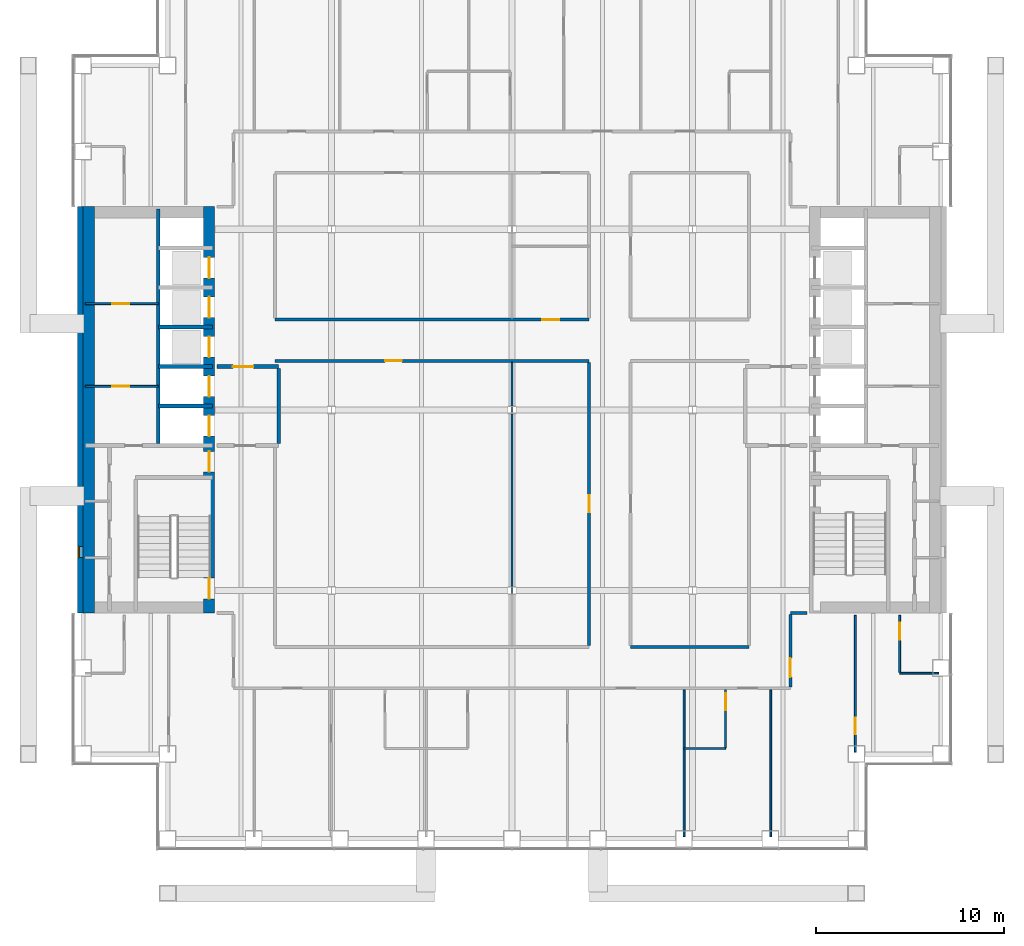
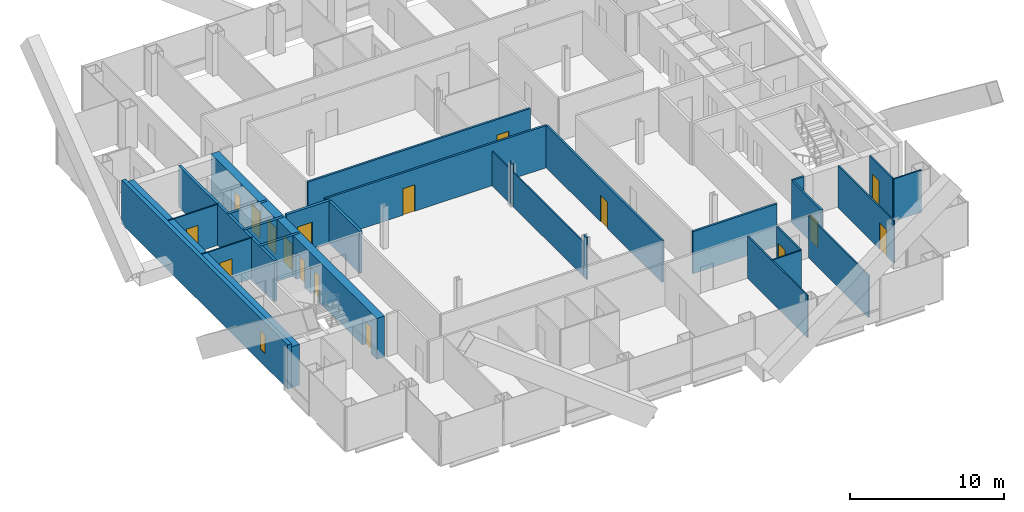
# One storey, part 12 of 17: 28 walls, 17 doors, 1 window, 18 openings.
"""IFC4 building model written with IfcOpenShell, lengths in metres."""

import ifcopenshell
import ifcopenshell.guid

model = None  # the IFC model being written
_history = None  # IfcOwnerHistory: only IFC2X3 demands one
_inside = {}  # id of a spatial element -> (the spatial element, [elements in it])
_under = {}  # id of a project, library or spatial element -> (it, [spatial elements below it])
_declared = {}  # id of a project -> (the project, [libraries it declares])
_typed = {}  # id of a type object -> (the type object, [elements of that type])
_made_of = {}  # id of a material, layer set ... -> (it, [elements and type objects made of it])


def new_model(schema):
    """Start an empty IFC model of exactly this schema.

    Asked for "IFC4X3", IfcOpenShell would pick the latest addendum, in which some entities
    have other attributes; the version numbers below select the first issue.
    IFC2X3 requires an IfcOwnerHistory on every rooted entity: one is made here for all.
    """
    global model, _history
    if schema == "IFC4X3":
        model = ifcopenshell.file(schema_version=(4, 3, 0, 0))
    else:
        model = ifcopenshell.file(schema=schema)
    _inside.clear()
    _under.clear()
    _declared.clear()
    _typed.clear()
    _made_of.clear()
    _history = None
    if model.schema == "IFC2X3":
        org = make("IfcOrganization", Name="unknown")
        user = make(
            "IfcPersonAndOrganization",
            ThePerson=make("IfcPerson", FamilyName="unknown"),
            TheOrganization=org,
        )
        app = make(
            "IfcApplication",
            ApplicationDeveloper=org,
            Version="unknown",
            ApplicationFullName="unknown",
            ApplicationIdentifier="unknown",
        )
        _history = make(
            "IfcOwnerHistory",
            OwningUser=user,
            OwningApplication=app,
            ChangeAction="ADDED",
            CreationDate=0,
        )
    return model


def make(cls, **values):
    """One entity of the class cls with the attributes given. An attribute that is None is left unset."""
    return model.create_entity(
        cls, **{name: value for name, value in values.items() if value is not None}
    )


def rooted(cls, **values):
    """An entity with a GlobalId (a new one), such as an element, a storey or a relation."""
    return make(cls, GlobalId=ifcopenshell.guid.new(), OwnerHistory=_history, **values)


def si_unit(unit_type, name, prefix=None):
    """IfcSIUnit, for example si_unit("LENGTHUNIT", "METRE", prefix="MILLI")."""
    return make("IfcSIUnit", UnitType=unit_type, Prefix=prefix, Name=name)


def assignment(units):
    """IfcUnitAssignment: the units of a project."""
    return None if units is None else make("IfcUnitAssignment", Units=units)


def point(xyz):
    """IfcCartesianPoint."""
    return None if xyz is None else make("IfcCartesianPoint", Coordinates=xyz)


def direction(xyz):
    """IfcDirection."""
    return None if xyz is None else make("IfcDirection", DirectionRatios=xyz)


def frame(location, z_axis=None, x_axis=None):
    """IfcAxis2Placement3D, a coordinate frame: its origin and axes. An axis left out is left unset."""
    return make(
        "IfcAxis2Placement3D",
        Location=point(location),
        Axis=direction(z_axis),
        RefDirection=direction(x_axis),
    )


def frame_2d(location, x_axis=None):
    """IfcAxis2Placement2D, a coordinate frame in the plane: its origin and x axis."""
    return make(
        "IfcAxis2Placement2D", Location=point(location), RefDirection=direction(x_axis)
    )


def origin():
    """The frame at (0, 0, 0) with its axes left unset."""
    return frame((0.0, 0.0, 0.0))


def place(relative_to, where):
    """IfcLocalPlacement: puts the frame where relative to a parent placement (None: the world)."""
    return make(
        "IfcLocalPlacement", PlacementRelTo=relative_to, RelativePlacement=where
    )


def context(
    kind, dimensions, precision=None, world=None, true_north=None, identifier=None
):
    """IfcGeometricRepresentationContext, for example the 3D "Model" context."""
    return make(
        "IfcGeometricRepresentationContext",
        ContextIdentifier=identifier,
        ContextType=kind,
        CoordinateSpaceDimension=dimensions,
        Precision=precision,
        WorldCoordinateSystem=world,
        TrueNorth=true_north,
    )


def subcontext(parent, identifier, kind, view, scale=None):
    """IfcGeometricRepresentationSubContext, for example "Body" below "Model"."""
    return make(
        "IfcGeometricRepresentationSubContext",
        ContextIdentifier=identifier,
        ContextType=kind,
        ParentContext=parent,
        TargetScale=scale,
        TargetView=view,
    )


def project(units=None, contexts=None):
    """IfcProject with its units and contexts."""
    return rooted(
        "IfcProject",
        Name="project",
        RepresentationContexts=contexts,
        UnitsInContext=assignment(units),
    )


def spatial(cls, under=None, at=None, **own):
    """A site, building, storey or space (cls), placed at a placement, below another one or the project."""
    s = rooted(cls, ObjectPlacement=at, **own)
    if under is not None:
        _under.setdefault(under.id(), (under, []))[1].append(s)
    return s


def profile(cls, at=None, kind="AREA", **sizes):
    """A parametric profile (cls). Its sizes go by their IFC names, for example OverallWidth=200.0."""
    return make(cls, ProfileType=kind, Position=at, **sizes)


def rectangle(**sizes):
    """IfcRectangleProfileDef."""
    return profile("IfcRectangleProfileDef", **sizes)


def extrude(swept, where, along, depth):
    """IfcExtrudedAreaSolid: the profile swept, set in the frame where, extruded along a direction by depth."""
    return make(
        "IfcExtrudedAreaSolid",
        SweptArea=swept,
        Position=where,
        ExtrudedDirection=direction(along),
        Depth=depth,
    )


def shape(context_of_items, identifier, shape_type, items):
    """IfcShapeRepresentation: the items that make up one representation, for example the "Body"."""
    return make(
        "IfcShapeRepresentation",
        ContextOfItems=context_of_items,
        RepresentationIdentifier=identifier,
        RepresentationType=shape_type,
        Items=items,
    )


def material(Name=None, Category=None):
    """IfcMaterial."""
    return make("IfcMaterial", Name=Name, Category=Category)


def layer(
    of_material, thickness, ventilated=None, Name=None, Category=None, Priority=None
):
    """IfcMaterialLayer: one layer of a wall or slab, of a material (None: an air gap)."""
    return make(
        "IfcMaterialLayer",
        Material=of_material,
        LayerThickness=thickness,
        IsVentilated=ventilated,
        Name=Name,
        Category=Category,
        Priority=Priority,
    )


def layer_set(layers, Name=None):
    """IfcMaterialLayerSet."""
    return make("IfcMaterialLayerSet", MaterialLayers=layers, LayerSetName=Name)


def made_of(thing, what):
    """Note that an element or type object is made of a material, layer set ...; save() writes the relation."""
    if what is not None:
        _made_of.setdefault(what.id(), (what, []))[1].append(thing)
    return thing


def type_object(cls, material=None, **own):
    """A type object (cls), such as IfcWallType, which elements share."""
    return made_of(rooted(cls, **own), material)


def element(
    cls,
    number,
    at=None,
    inside=None,
    cuts=None,
    type_object=None,
    material=None,
    context=None,
    identifier="Body",
    shape_type=None,
    held_by="IfcProductDefinitionShape",
    body=None,
    shapes=None,
    **own,
):
    """One element of the class cls, such as IfcWall. Its Tag is "e" and its number.

    at: its placement. inside: the storey or other place that contains it. cuts: it is an
    opening in that element (IfcRelVoidsElement). A single representation is given by context,
    identifier, shape_type and body (its items); several are given by shapes. held_by: the class
    of the entity that holds the representations. save() writes the other relations.
    """
    e = rooted(cls, Tag="e%d" % number, ObjectPlacement=at, **own)
    if body is not None:
        shapes = [shape(context, identifier, shape_type, body)]
    if shapes is not None:
        e.Representation = make(held_by, Representations=shapes)
    if inside is not None:
        _inside.setdefault(inside.id(), (inside, []))[1].append(e)
    if cuts is not None:
        rooted(
            "IfcRelVoidsElement", RelatingBuildingElement=cuts, RelatedOpeningElement=e
        )
    if type_object is not None:
        _typed.setdefault(type_object.id(), (type_object, []))[1].append(e)
    return made_of(e, material)


def fill(opening, filler):
    """IfcRelFillsElement: the door or window that sits in an opening."""
    return rooted(
        "IfcRelFillsElement",
        RelatingOpeningElement=opening,
        RelatedBuildingElement=filler,
    )


def aggregate(whole, parts):
    """IfcRelAggregates: a whole, such as a stair, and the parts it consists of."""
    return rooted("IfcRelAggregates", RelatingObject=whole, RelatedObjects=parts)


def save(model, path):
    """Write the relations noted so far, then the file.

    IfcRelAggregates (storeys below a building ...), IfcRelContainedInSpatialStructure (elements
    in a storey), IfcRelDefinesByType, IfcRelAssociatesMaterial and IfcRelDeclares: one each for
    every whole, place, type object, material and project.
    """
    for whole, parts in _under.values():
        aggregate(whole, parts)
    for where, things in _inside.values():
        rooted(
            "IfcRelContainedInSpatialStructure",
            RelatedElements=things,
            RelatingStructure=where,
        )
    for kind, things in _typed.values():
        rooted("IfcRelDefinesByType", RelatedObjects=things, RelatingType=kind)
    for what, things in _made_of.values():
        rooted("IfcRelAssociatesMaterial", RelatedObjects=things, RelatingMaterial=what)
    for by, libraries in _declared.values():
        rooted("IfcRelDeclares", RelatingContext=by, RelatedDefinitions=libraries)
    model.write(path)


model = new_model("IFC4")

# Units and contexts
model_context = context("Model", 3, precision=1e-05, world=origin(), true_north=direction((0.0, 1.0)))
body_context = subcontext(model_context, "Body", "Model", "MODEL_VIEW")
ifc_project = project(units=[si_unit("LENGTHUNIT", "METRE"), si_unit("AREAUNIT", "SQUARE_METRE"), si_unit("VOLUMEUNIT", "CUBIC_METRE"), si_unit("PLANEANGLEUNIT", "RADIAN"), si_unit("MASSUNIT", "GRAM", prefix="KILO")], contexts=[model_context])

# Site, building, storey
site_placement = place(None, origin())
site = spatial("IfcSite", under=ifc_project, at=site_placement, CompositionType="ELEMENT")
building_placement = place(site_placement, origin())
building = spatial("IfcBuilding", under=site, at=building_placement, Name="Cobrizo Arcos Hotel Tower", CompositionType="ELEMENT")
storey_placement = place(building_placement, frame((0.0, 0.0, 106.5)))
storey = spatial("IfcBuildingStorey", under=building, at=storey_placement, Name="L26", CompositionType="ELEMENT", Elevation=106.5)

# Walls
ifc_material_1 = material(Name="Gypsum board partition")
ifc_layer_1 = layer(ifc_material_1, 0.14990234375)
ifc_layer_set_1 = layer_set([ifc_layer_1], Name="Corridor wall EI 60 150")
wall_type_1 = type_object("IfcWallType", Name="Corridor wall EI 60 150", PredefinedType="PARTITIONING", material=ifc_layer_set_1)
wall_1_placement = place(storey_placement, frame((6.300048828125, -12.60009765625, 0.0), z_axis=(0.0, 0.0, 1.0), x_axis=(1.0, 0.0, 0.0)))
element("IfcWall", 1, at=wall_1_placement, inside=storey, type_object=wall_type_1, Name="Partition 007", PredefinedType="PARTITIONING", context=body_context, shape_type="SweptSolid", body=[
    extrude(rectangle(XDim=6.300048828125, YDim=0.14990234375, at=frame_2d((3.14990234375, 0.0))), origin(), (0.0, 0.0, 1.0), 3.35009765625),
])
wall_2_placement = place(storey_placement, frame((14.800048828125, -10.800048828125, 0.0), z_axis=(0.0, 0.0, 1.0), x_axis=(1.0, 0.0, 0.0)))
element("IfcWall", 2, at=wall_2_placement, inside=storey, type_object=wall_type_1, Name="Partition 009", PredefinedType="PARTITIONING", context=body_context, shape_type="SweptSolid", body=[
    extrude(rectangle(XDim=0.8798828125, YDim=0.14990234375, at=frame_2d((0.43994140625, 0.0))), origin(), (0.0, 0.0, 1.0), 3.35009765625),
])

# Wall, opening, door
wall_3_placement = place(storey_placement, frame((-12.60009765625, 2.60009765625, 0.0), z_axis=(0.0, 0.0, 1.0), x_axis=(1.0, 0.0, 0.0)))
wall_3 = element("IfcWall", 3, at=wall_3_placement, inside=storey, type_object=wall_type_1, Name="Partition 028", PredefinedType="PARTITIONING", context=body_context, shape_type="SweptSolid", body=[
    extrude(rectangle(XDim=16.7001953125, YDim=0.14990234375, at=frame_2d((8.35009765625, 0.0))), origin(), (0.0, 0.0, 1.0), 3.35009765625),
])
opening_1_placement = place(wall_3_placement, frame((5.85009765625, 0.0, 0.0)))
opening_1 = element("IfcOpeningElement", 4, at=opening_1_placement, cuts=wall_3, Name="Opening RD-23", PredefinedType="OPENING", context=body_context, shape_type="SweptSolid", body=[
    extrude(rectangle(XDim=0.89990234375, YDim=2.10009765625, at=frame_2d((0.449951171875, 1.050048828125))), frame((0.0, 0.0869140625, 0.0), z_axis=(0.0, -1.0, 0.0), x_axis=(1.0, 0.0, 0.0)), (0.0, 0.0, 1.0), 0.173828125),
])
ifc_material_2 = material(Name="Timber door leaf", Category="wood")
door_type_1 = type_object("IfcDoorType", Name="Room door FD30 900x2100", OperationType="SINGLE_SWING_LEFT", PredefinedType="DOOR", material=ifc_material_2)
door_1_placement = place(opening_1_placement, origin())
door_1 = element("IfcDoor", 5, at=door_1_placement, inside=storey, type_object=door_type_1, Name="Door RD-23", OperationType="SINGLE_SWING_LEFT", OverallHeight=2.10009765625, OverallWidth=0.89990234375, PredefinedType="DOOR", context=body_context, shape_type="SweptSolid", body=[
    extrude(rectangle(XDim=0.89990234375, YDim=2.10009765625, at=frame_2d((0.449951171875, 1.050048828125))), frame((0.0, 0.02490234375, 0.0), z_axis=(0.0, -1.0, 0.0), x_axis=(1.0, 0.0, 0.0)), (0.0, 0.0, 1.0), 0.050048828125),
])
fill(opening_1, door_1)

wall_4_placement = place(storey_placement, frame((-12.60009765625, 4.800048828125, 0.0), z_axis=(0.0, 0.0, 1.0), x_axis=(1.0, 0.0, 0.0)))
wall_4 = element("IfcWall", 6, at=wall_4_placement, inside=storey, type_object=wall_type_1, Name="Partition 032", PredefinedType="PARTITIONING", context=body_context, shape_type="SweptSolid", body=[
    extrude(rectangle(XDim=16.7001953125, YDim=0.14990234375, at=frame_2d((8.35009765625, 0.0))), origin(), (0.0, 0.0, 1.0), 3.35009765625),
])
opening_2_placement = place(wall_4_placement, frame((14.199951171875, 0.0, 0.0)))
opening_2 = element("IfcOpeningElement", 7, at=opening_2_placement, cuts=wall_4, Name="Opening ED-13", PredefinedType="OPENING", context=body_context, shape_type="SweptSolid", body=[
    extrude(rectangle(XDim=0.89990234375, YDim=2.10009765625, at=frame_2d((0.449951171875, 1.050048828125))), frame((0.0, 0.0869140625, 0.0), z_axis=(0.0, -1.0, 0.0), x_axis=(1.0, 0.0, 0.0)), (0.0, 0.0, 1.0), 0.173828125),
])
door_type_2 = type_object("IfcDoorType", Name="En-suite door 900x2100", OperationType="SINGLE_SWING_LEFT", PredefinedType="DOOR", material=ifc_material_2)
door_2_placement = place(opening_2_placement, origin())
door_2 = element("IfcDoor", 8, at=door_2_placement, inside=storey, type_object=door_type_2, Name="Door ED-13", OperationType="SINGLE_SWING_RIGHT", OverallHeight=2.10009765625, OverallWidth=0.89990234375, PredefinedType="DOOR", context=body_context, shape_type="SweptSolid", body=[
    extrude(rectangle(XDim=0.89990234375, YDim=2.10009765625, at=frame_2d((0.449951171875, 1.050048828125))), frame((0.0, 0.02490234375, 0.0), z_axis=(0.0, -1.0, 0.0), x_axis=(1.0, 0.0, 0.0)), (0.0, 0.0, 1.0), 0.050048828125),
])
fill(opening_2, door_2)

wall_5_placement = place(storey_placement, frame((4.10009765625, -12.52490234375, 0.0), z_axis=(0.0, 0.0, 1.0), x_axis=(0.0, 1.0, 0.0)))
wall_5 = element("IfcWall", 9, at=wall_5_placement, inside=storey, type_object=wall_type_1, Name="Partition 085", PredefinedType="PARTITIONING", context=body_context, shape_type="SweptSolid", body=[
    extrude(rectangle(XDim=15.0498046875, YDim=0.14990234375, at=frame_2d((7.52490234375, 0.0))), origin(), (0.0, 0.0, 1.0), 3.35009765625),
])
opening_3_placement = place(wall_5_placement, frame((7.074951171875, 0.0, 0.0)))
opening_3 = element("IfcOpeningElement", 10, at=opening_3_placement, cuts=wall_5, Name="Opening RD-20", PredefinedType="OPENING", context=body_context, shape_type="SweptSolid", body=[
    extrude(rectangle(XDim=0.89990234375, YDim=2.10009765625, at=frame_2d((0.449951171875, 1.050048828125))), frame((0.0, 0.0869140625, 0.0), z_axis=(0.0, -1.0, 0.0), x_axis=(1.0, 0.0, 0.0)), (0.0, 0.0, 1.0), 0.173828125),
])
door_3_placement = place(opening_3_placement, origin())
door_3 = element("IfcDoor", 11, at=door_3_placement, inside=storey, type_object=door_type_1, Name="Door RD-20", OperationType="SINGLE_SWING_LEFT", OverallHeight=2.10009765625, OverallWidth=0.89990234375, PredefinedType="DOOR", context=body_context, shape_type="SweptSolid", body=[
    extrude(rectangle(XDim=0.89990234375, YDim=2.10009765625, at=frame_2d((0.449951171875, 1.050048828125))), frame((0.0, 0.02490234375, 0.0), z_axis=(0.0, -1.0, 0.0), x_axis=(1.0, 0.0, 0.0)), (0.0, 0.0, 1.0), 0.050048828125),
])
fill(opening_3, door_3)

wall_6_placement = place(storey_placement, frame((14.800048828125, -14.72509765625, 0.0), z_axis=(0.0, 0.0, 1.0), x_axis=(0.0, 1.0, 0.0)))
wall_6 = element("IfcWall", 12, at=wall_6_placement, inside=storey, type_object=wall_type_1, Name="Partition 098", PredefinedType="PARTITIONING", context=body_context, shape_type="SweptSolid", body=[
    extrude(rectangle(XDim=3.85009765625, YDim=0.14990234375, at=frame_2d((1.925048828125, 0.0))), origin(), (0.0, 0.0, 1.0), 3.35009765625),
])
opening_4_placement = place(wall_6_placement, frame((0.52490234375, 0.0, 0.0)))
opening_4 = element("IfcOpeningElement", 13, at=opening_4_placement, cuts=wall_6, Name="Opening GD-09", PredefinedType="OPENING", context=body_context, shape_type="SweptSolid", body=[
    extrude(rectangle(XDim=1.0, YDim=2.10009765625, at=frame_2d((0.5, 1.050048828125))), frame((0.0, 0.0869140625, 0.0), z_axis=(0.0, -1.0, 0.0), x_axis=(1.0, 0.0, 0.0)), (0.0, 0.0, 1.0), 0.173828125),
])
door_type_3 = type_object("IfcDoorType", Name="Guest room door FD30S 1000x2100", OperationType="SINGLE_SWING_LEFT", PredefinedType="DOOR", material=ifc_material_2)
door_4_placement = place(opening_4_placement, origin())
door_4 = element("IfcDoor", 14, at=door_4_placement, inside=storey, type_object=door_type_3, Name="Door GD-09", OperationType="SINGLE_SWING_LEFT", OverallHeight=2.10009765625, OverallWidth=1.0, PredefinedType="DOOR", context=body_context, shape_type="SweptSolid", body=[
    extrude(rectangle(XDim=1.0, YDim=2.10009765625, at=frame_2d((0.5, 1.050048828125))), frame((0.0, 0.02490234375, 0.0), z_axis=(0.0, -1.0, 0.0), x_axis=(1.0, 0.0, 0.0)), (0.0, 0.0, 1.0), 0.050048828125),
])
fill(opening_4, door_4)

# Wall, opening, window
ifc_material_3 = material(Name="Aluminium composite panel pale metal", Category="aluminium")
ifc_layer_2 = layer(ifc_material_3, 0.300048828125)
ifc_layer_set_2 = layer_set([ifc_layer_2], Name="EW-1 insulated panel wall 300")
wall_type_2 = type_object("IfcWallType", Name="EW-1 insulated panel wall 300", PredefinedType="SOLIDWALL", material=ifc_layer_set_2)
wall_7_placement = place(storey_placement, frame((-22.949951171875, 10.800048828125, 0.0), z_axis=(0.0, 0.0, 1.0), x_axis=(0.0, -1.0, 0.0)))
wall_7 = element("IfcWall", 15, at=wall_7_placement, inside=storey, type_object=wall_type_2, Name="Core face wall L26 W", PredefinedType="SOLIDWALL", context=body_context, shape_type="SweptSolid", body=[
    extrude(rectangle(XDim=21.60009765625, YDim=0.300048828125, at=frame_2d((10.800048828125, 0.0))), origin(), (0.0, 0.0, 1.0), 3.5),
])
opening_5_placement = place(wall_7_placement, frame((18.050048828125, 0.0, 1.0)))
opening_5 = element("IfcOpeningElement", 16, at=opening_5_placement, cuts=wall_7, Name="Opening W-54", PredefinedType="OPENING", context=body_context, shape_type="SweptSolid", body=[
    extrude(rectangle(XDim=0.60009765625, YDim=1.5, at=frame_2d((0.300048828125, 0.75))), frame((0.0, 0.162109375, 0.0), z_axis=(0.0, -1.0, 0.0), x_axis=(1.0, 0.0, 0.0)), (0.0, 0.0, 1.0), 0.323974609375),
])
ifc_material_4 = material(Name="Aluminium 6063-T6 and clear laminated glass", Category="aluminium")
window_type = type_object("IfcWindowType", Name="W-C1 core stair slot window 600x1500", PartitioningType="SINGLE_PANEL", PredefinedType="WINDOW", material=ifc_material_4)
window_placement = place(opening_5_placement, origin())
window = element("IfcWindow", 17, at=window_placement, inside=storey, type_object=window_type, Name="Core face wall L26 W window W-54", OverallHeight=1.5, OverallWidth=0.60009765625, PartitioningType="SINGLE_PANEL", PredefinedType="WINDOW", context=body_context, shape_type="SweptSolid", body=[
    extrude(rectangle(XDim=0.60009765625, YDim=1.5, at=frame_2d((0.300048828125, 0.75))), frame((0.0, -0.06005859375, 0.0), z_axis=(0.0, -1.0, 0.0), x_axis=(1.0, 0.0, 0.0)), (0.0, 0.0, 1.0), 0.06005859375),
])
fill(opening_5, window)

# Walls
ifc_layer_3 = layer(ifc_material_1, 0.10009765625)
ifc_layer_set_3 = layer_set([ifc_layer_3], Name="Partition EI 30 100")
wall_type_3 = type_object("IfcWallType", Name="Partition EI 30 100", PredefinedType="PARTITIONING", material=ifc_layer_set_3)
wall_8_placement = place(storey_placement, frame((9.14990234375, -18.0, 0.0), z_axis=(0.0, 0.0, 1.0), x_axis=(1.0, 0.0, 0.0)))
element("IfcWall", 18, at=wall_8_placement, inside=storey, type_object=wall_type_3, Name="Partition 002", PredefinedType="PARTITIONING", context=body_context, shape_type="SweptSolid", body=[
    extrude(rectangle(XDim=2.2001953125, YDim=0.10009765625, at=frame_2d((1.10009765625, 0.0))), origin(), (0.0, 0.0, 1.0), 3.35009765625),
])
wall_9_placement = place(storey_placement, frame((20.60009765625, -14.0, 0.0), z_axis=(0.0, 0.0, 1.0), x_axis=(1.0, 0.0, 0.0)))
element("IfcWall", 19, at=wall_9_placement, inside=storey, type_object=wall_type_3, Name="Partition 005", PredefinedType="PARTITIONING", context=body_context, shape_type="SweptSolid", body=[
    extrude(rectangle(XDim=2.079833984375, YDim=0.10009765625, at=frame_2d((1.0400390625, 0.0))), origin(), (0.0, 0.0, 1.0), 3.35009765625),
])

# Wall, opening, door
wall_10_placement = place(storey_placement, frame((-22.679931640625, 1.25, 0.0), z_axis=(0.0, 0.0, 1.0), x_axis=(1.0, 0.0, 0.0)))
wall_10 = element("IfcWall", 20, at=wall_10_placement, inside=storey, type_object=wall_type_3, Name="Partition 022", PredefinedType="PARTITIONING", context=body_context, shape_type="SweptSolid", body=[
    extrude(rectangle(XDim=3.8798828125, YDim=0.10009765625, at=frame_2d((1.93994140625, 0.0))), origin(), (0.0, 0.0, 1.0), 3.25),
])
opening_6_placement = place(wall_10_placement, frame((1.429931640625, 0.0, 0.0)))
opening_6 = element("IfcOpeningElement", 21, at=opening_6_placement, cuts=wall_10, Name="Opening RD-04", PredefinedType="OPENING", context=body_context, shape_type="SweptSolid", body=[
    extrude(rectangle(XDim=0.89990234375, YDim=2.10009765625, at=frame_2d((0.449951171875, 1.050048828125))), frame((0.0, 0.06201171875, 0.0), z_axis=(0.0, -1.0, 0.0), x_axis=(1.0, 0.0, 0.0)), (0.0, 0.0, 1.0), 0.1240234375),
])
door_5_placement = place(opening_6_placement, origin())
door_5 = element("IfcDoor", 22, at=door_5_placement, inside=storey, type_object=door_type_1, Name="Door RD-04", OperationType="SINGLE_SWING_LEFT", OverallHeight=2.10009765625, OverallWidth=0.89990234375, PredefinedType="DOOR", context=body_context, shape_type="SweptSolid", body=[
    extrude(rectangle(XDim=0.89990234375, YDim=2.10009765625, at=frame_2d((0.449951171875, 1.050048828125))), frame((0.0, 0.02490234375, 0.0), z_axis=(0.0, -1.0, 0.0), x_axis=(1.0, 0.0, 0.0)), (0.0, 0.0, 1.0), 0.050048828125),
])
fill(opening_6, door_5)

wall_11_placement = place(storey_placement, frame((-22.679931640625, 5.64990234375, 0.0), z_axis=(0.0, 0.0, 1.0), x_axis=(1.0, 0.0, 0.0)))
wall_11 = element("IfcWall", 23, at=wall_11_placement, inside=storey, type_object=wall_type_3, Name="Partition 034", PredefinedType="PARTITIONING", context=body_context, shape_type="SweptSolid", body=[
    extrude(rectangle(XDim=3.8798828125, YDim=0.10009765625, at=frame_2d((1.93994140625, 0.0))), origin(), (0.0, 0.0, 1.0), 3.25),
])
opening_7_placement = place(wall_11_placement, frame((1.429931640625, 0.0, 0.0)))
opening_7 = element("IfcOpeningElement", 24, at=opening_7_placement, cuts=wall_11, Name="Opening RD-05", PredefinedType="OPENING", context=body_context, shape_type="SweptSolid", body=[
    extrude(rectangle(XDim=0.89990234375, YDim=2.10009765625, at=frame_2d((0.449951171875, 1.050048828125))), frame((0.0, 0.06201171875, 0.0), z_axis=(0.0, -1.0, 0.0), x_axis=(1.0, 0.0, 0.0)), (0.0, 0.0, 1.0), 0.1240234375),
])
door_6_placement = place(opening_7_placement, origin())
door_6 = element("IfcDoor", 25, at=door_6_placement, inside=storey, type_object=door_type_1, Name="Door RD-05", OperationType="SINGLE_SWING_RIGHT", OverallHeight=2.10009765625, OverallWidth=0.89990234375, PredefinedType="DOOR", context=body_context, shape_type="SweptSolid", body=[
    extrude(rectangle(XDim=0.89990234375, YDim=2.10009765625, at=frame_2d((0.449951171875, 1.050048828125))), frame((0.0, 0.02490234375, 0.0), z_axis=(0.0, -1.0, 0.0), x_axis=(1.0, 0.0, 0.0)), (0.0, 0.0, 1.0), 0.050048828125),
])
fill(opening_7, door_6)

# Walls
wall_12_placement = place(storey_placement, frame((0.0, -9.799072265625, 0.0), z_axis=(0.0, 0.0, 1.0), x_axis=(0.0, 1.0, 0.0)))
element("IfcWall", 26, at=wall_12_placement, inside=storey, type_object=wall_type_3, Name="Partition 076", PredefinedType="PARTITIONING", context=body_context, shape_type="SweptSolid", body=[
    extrude(rectangle(XDim=0.398193359375, YDim=0.10009765625, at=frame_2d((0.19921875, 0.0))), origin(), (0.0, 0.0, 1.0), 3.35009765625),
])
wall_13_placement = place(storey_placement, frame((0.0, -9.40087890625, 0.0), z_axis=(0.0, 0.0, 1.0), x_axis=(0.0, 1.0, 0.0)))
element("IfcWall", 27, at=wall_13_placement, inside=storey, type_object=wall_type_3, Name="Partition 077", PredefinedType="PARTITIONING", context=body_context, shape_type="SweptSolid", body=[
    extrude(rectangle(XDim=9.201904296875, YDim=0.10009765625, at=frame_2d((4.60107421875, 0.0))), origin(), (0.0, 0.0, 1.0), 2.72802734375),
])
wall_14_placement = place(storey_placement, frame((0.0, -0.198974609375, 0.0), z_axis=(0.0, 0.0, 1.0), x_axis=(0.0, 1.0, 0.0)))
element("IfcWall", 28, at=wall_14_placement, inside=storey, type_object=wall_type_3, Name="Partition 078", PredefinedType="PARTITIONING", context=body_context, shape_type="SweptSolid", body=[
    extrude(rectangle(XDim=0.39794921875, YDim=0.10009765625, at=frame_2d((0.198974609375, 0.0))), origin(), (0.0, 0.0, 1.0), 3.35009765625),
])
wall_15_placement = place(storey_placement, frame((0.0, 0.198974609375, 0.0), z_axis=(0.0, 0.0, 1.0), x_axis=(0.0, 1.0, 0.0)))
element("IfcWall", 29, at=wall_15_placement, inside=storey, type_object=wall_type_3, Name="Partition 079", PredefinedType="PARTITIONING", context=body_context, shape_type="SweptSolid", body=[
    extrude(rectangle(XDim=2.325927734375, YDim=0.10009765625, at=frame_2d((1.1630859375, 0.0))), origin(), (0.0, 0.0, 1.0), 2.72802734375),
])
wall_16_placement = place(storey_placement, frame((9.14990234375, -22.679931640625, 0.0), z_axis=(0.0, 0.0, 1.0), x_axis=(0.0, 1.0, 0.0)))
element("IfcWall", 30, at=wall_16_placement, inside=storey, type_object=wall_type_3, Name="Partition 090", PredefinedType="PARTITIONING", context=body_context, shape_type="SweptSolid", body=[
    extrude(rectangle(XDim=7.804931640625, YDim=0.10009765625, at=frame_2d((3.90234375, 0.0))), origin(), (0.0, 0.0, 1.0), 3.35009765625),
])

# Wall, opening, door
wall_17_placement = place(storey_placement, frame((11.35009765625, -17.949951171875, 0.0), z_axis=(0.0, 0.0, 1.0), x_axis=(0.0, 1.0, 0.0)))
wall_17 = element("IfcWall", 31, at=wall_17_placement, inside=storey, type_object=wall_type_3, Name="Partition 091", PredefinedType="PARTITIONING", context=body_context, shape_type="SweptSolid", body=[
    extrude(rectangle(XDim=3.074951171875, YDim=0.10009765625, at=frame_2d((1.53759765625, 0.0))), origin(), (0.0, 0.0, 1.0), 3.35009765625),
])
opening_8_placement = place(wall_17_placement, frame((1.99609375, 0.0, 0.0)))
opening_8 = element("IfcOpeningElement", 32, at=opening_8_placement, cuts=wall_17, Name="Opening ED-08", PredefinedType="OPENING", context=body_context, shape_type="SweptSolid", body=[
    extrude(rectangle(XDim=0.89990234375, YDim=2.10009765625, at=frame_2d((0.449951171875, 1.050048828125))), frame((0.0, 0.06201171875, 0.0), z_axis=(0.0, -1.0, 0.0), x_axis=(1.0, 0.0, 0.0)), (0.0, 0.0, 1.0), 0.1240234375),
])
door_7_placement = place(opening_8_placement, origin())
door_7 = element("IfcDoor", 33, at=door_7_placement, inside=storey, type_object=door_type_2, Name="Door ED-08", OperationType="SINGLE_SWING_RIGHT", OverallHeight=2.10009765625, OverallWidth=0.89990234375, PredefinedType="DOOR", context=body_context, shape_type="SweptSolid", body=[
    extrude(rectangle(XDim=0.89990234375, YDim=2.10009765625, at=frame_2d((0.449951171875, 1.050048828125))), frame((0.0, 0.02490234375, 0.0), z_axis=(0.0, -1.0, 0.0), x_axis=(1.0, 0.0, 0.0)), (0.0, 0.0, 1.0), 0.050048828125),
])
fill(opening_8, door_7)

# Wall
wall_18_placement = place(storey_placement, frame((13.75, -22.679931640625, 0.0), z_axis=(0.0, 0.0, 1.0), x_axis=(0.0, 1.0, 0.0)))
element("IfcWall", 34, at=wall_18_placement, inside=storey, type_object=wall_type_3, Name="Partition 096", PredefinedType="PARTITIONING", context=body_context, shape_type="SweptSolid", body=[
    extrude(rectangle(XDim=7.804931640625, YDim=0.10009765625, at=frame_2d((3.90234375, 0.0))), origin(), (0.0, 0.0, 1.0), 3.35009765625),
])

# Wall, opening, door
wall_19_placement = place(storey_placement, frame((18.25, -18.19091796875, 0.0), z_axis=(0.0, 0.0, 1.0), x_axis=(0.0, 1.0, 0.0)))
wall_19 = element("IfcWall", 35, at=wall_19_placement, inside=storey, type_object=wall_type_3, Name="Partition 101", PredefinedType="PARTITIONING", context=body_context, shape_type="SweptSolid", body=[
    extrude(rectangle(XDim=7.27099609375, YDim=0.10009765625, at=frame_2d((3.635498046875, 0.0))), origin(), (0.0, 0.0, 1.0), 3.35009765625),
])
opening_9_placement = place(wall_19_placement, frame((0.94091796875, 0.0, 0.0)))
opening_9 = element("IfcOpeningElement", 36, at=opening_9_placement, cuts=wall_19, Name="Opening RD-17", PredefinedType="OPENING", context=body_context, shape_type="SweptSolid", body=[
    extrude(rectangle(XDim=0.89990234375, YDim=2.10009765625, at=frame_2d((0.449951171875, 1.050048828125))), frame((0.0, 0.06201171875, 0.0), z_axis=(0.0, -1.0, 0.0), x_axis=(1.0, 0.0, 0.0)), (0.0, 0.0, 1.0), 0.1240234375),
])
door_8_placement = place(opening_9_placement, origin())
door_8 = element("IfcDoor", 37, at=door_8_placement, inside=storey, type_object=door_type_1, Name="Door RD-17", OperationType="SINGLE_SWING_RIGHT", OverallHeight=2.10009765625, OverallWidth=0.89990234375, PredefinedType="DOOR", context=body_context, shape_type="SweptSolid", body=[
    extrude(rectangle(XDim=0.89990234375, YDim=2.10009765625, at=frame_2d((0.449951171875, 1.050048828125))), frame((0.0, 0.02490234375, 0.0), z_axis=(0.0, -1.0, 0.0), x_axis=(1.0, 0.0, 0.0)), (0.0, 0.0, 1.0), 0.050048828125),
])
fill(opening_9, door_8)

wall_20_placement = place(storey_placement, frame((20.60009765625, -13.949951171875, 0.0), z_axis=(0.0, 0.0, 1.0), x_axis=(0.0, 1.0, 0.0)))
wall_20 = element("IfcWall", 38, at=wall_20_placement, inside=storey, type_object=wall_type_3, Name="Partition 104", PredefinedType="PARTITIONING", context=body_context, shape_type="SweptSolid", body=[
    extrude(rectangle(XDim=3.030029296875, YDim=0.10009765625, at=frame_2d((1.51513671875, 0.0))), origin(), (0.0, 0.0, 1.0), 3.35009765625),
])
opening_10_placement = place(wall_20_placement, frame((1.739990234375, 0.0, 0.0)))
opening_10 = element("IfcOpeningElement", 39, at=opening_10_placement, cuts=wall_20, Name="Opening ED-11", PredefinedType="OPENING", context=body_context, shape_type="SweptSolid", body=[
    extrude(rectangle(XDim=0.89990234375, YDim=2.10009765625, at=frame_2d((0.449951171875, 1.050048828125))), frame((0.0, 0.06201171875, 0.0), z_axis=(0.0, -1.0, 0.0), x_axis=(1.0, 0.0, 0.0)), (0.0, 0.0, 1.0), 0.1240234375),
])
door_9_placement = place(opening_10_placement, origin())
door_9 = element("IfcDoor", 40, at=door_9_placement, inside=storey, type_object=door_type_2, Name="Door ED-11", OperationType="SINGLE_SWING_LEFT", OverallHeight=2.10009765625, OverallWidth=0.89990234375, PredefinedType="DOOR", context=body_context, shape_type="SweptSolid", body=[
    extrude(rectangle(XDim=0.89990234375, YDim=2.10009765625, at=frame_2d((0.449951171875, 1.050048828125))), frame((0.0, 0.02490234375, 0.0), z_axis=(0.0, -1.0, 0.0), x_axis=(1.0, 0.0, 0.0)), (0.0, 0.0, 1.0), 0.050048828125),
])
fill(opening_10, door_9)

# Wall, openings, doors
ifc_material_5 = material(Name="Concrete f'c 50 MPa", Category="concrete")
ifc_layer_4 = layer(ifc_material_5, 0.60009765625)
ifc_layer_set_4 = layer_set([ifc_layer_4], Name="RC core wall 600 f'c 50")
wall_type_4 = type_object("IfcWallType", Name="RC core wall 600 f'c 50", PredefinedType="SHEAR", material=ifc_layer_set_4)
wall_21_placement = place(storey_placement, frame((-16.10009765625, -10.800048828125, 0.0), z_axis=(0.0, 0.0, 1.0), x_axis=(0.0, 1.0, 0.0)))
wall_21 = element("IfcWall", 41, at=wall_21_placement, inside=storey, type_object=wall_type_4, Name="Core wall CW2, west core, inner face, L26", PredefinedType="SHEAR", context=body_context, shape_type="SweptSolid", body=[
    extrude(rectangle(XDim=21.60009765625, YDim=0.60009765625, at=frame_2d((10.800048828125, 0.0))), origin(), (0.0, 0.0, 1.0), 3.25),
])
opening_11_placement = place(wall_21_placement, frame((9.39990234375, 0.0, 0.0)))
opening_11 = element("IfcOpeningElement", 42, at=opening_11_placement, cuts=wall_21, Name="Opening LD-01", PredefinedType="OPENING", context=body_context, shape_type="SweptSolid", body=[
    extrude(rectangle(XDim=1.10009765625, YDim=2.10009765625, at=frame_2d((0.550048828125, 1.050048828125))), frame((0.0, 0.31201171875, 0.0), z_axis=(0.0, -1.0, 0.0), x_axis=(1.0, 0.0, 0.0)), (0.0, 0.0, 1.0), 0.6240234375),
])
opening_12_placement = place(wall_21_placement, frame((11.5, 0.0, 0.0)))
opening_12 = element("IfcOpeningElement", 43, at=opening_12_placement, cuts=wall_21, Name="Opening LD-02", PredefinedType="OPENING", context=body_context, shape_type="SweptSolid", body=[
    extrude(rectangle(XDim=1.10009765625, YDim=2.10009765625, at=frame_2d((0.550048828125, 1.050048828125))), frame((0.0, 0.31201171875, 0.0), z_axis=(0.0, -1.0, 0.0), x_axis=(1.0, 0.0, 0.0)), (0.0, 0.0, 1.0), 0.6240234375),
])
opening_13_placement = place(wall_21_placement, frame((13.60009765625, 0.0, 0.0)))
opening_13 = element("IfcOpeningElement", 44, at=opening_13_placement, cuts=wall_21, Name="Opening LD-03", PredefinedType="OPENING", context=body_context, shape_type="SweptSolid", body=[
    extrude(rectangle(XDim=1.10009765625, YDim=2.10009765625, at=frame_2d((0.550048828125, 1.050048828125))), frame((0.0, 0.31201171875, 0.0), z_axis=(0.0, -1.0, 0.0), x_axis=(1.0, 0.0, 0.0)), (0.0, 0.0, 1.0), 0.6240234375),
])
opening_14_placement = place(wall_21_placement, frame((15.699951171875, 0.0, 0.0)))
opening_14 = element("IfcOpeningElement", 45, at=opening_14_placement, cuts=wall_21, Name="Opening LD-04", PredefinedType="OPENING", context=body_context, shape_type="SweptSolid", body=[
    extrude(rectangle(XDim=1.10009765625, YDim=2.10009765625, at=frame_2d((0.550048828125, 1.050048828125))), frame((0.0, 0.31201171875, 0.0), z_axis=(0.0, -1.0, 0.0), x_axis=(1.0, 0.0, 0.0)), (0.0, 0.0, 1.0), 0.6240234375),
])
opening_15_placement = place(wall_21_placement, frame((17.800048828125, 0.0, 0.0)))
opening_15 = element("IfcOpeningElement", 46, at=opening_15_placement, cuts=wall_21, Name="Opening LD-05", PredefinedType="OPENING", context=body_context, shape_type="SweptSolid", body=[
    extrude(rectangle(XDim=1.10009765625, YDim=2.10009765625, at=frame_2d((0.550048828125, 1.050048828125))), frame((0.0, 0.31201171875, 0.0), z_axis=(0.0, -1.0, 0.0), x_axis=(1.0, 0.0, 0.0)), (0.0, 0.0, 1.0), 0.6240234375),
])
opening_16_placement = place(wall_21_placement, frame((0.758056640625, 0.0, 0.0)))
opening_16 = element("IfcOpeningElement", 47, at=opening_16_placement, cuts=wall_21, Name="Opening SD-01", PredefinedType="OPENING", context=body_context, shape_type="SweptSolid", body=[
    extrude(rectangle(XDim=1.10009765625, YDim=2.10009765625, at=frame_2d((0.550048828125, 1.050048828125))), frame((0.0, 0.31201171875, 0.0), z_axis=(0.0, -1.0, 0.0), x_axis=(1.0, 0.0, 0.0)), (0.0, 0.0, 1.0), 0.6240234375),
])
opening_17_placement = place(wall_21_placement, frame((7.5, 0.0, 0.0)))
opening_17 = element("IfcOpeningElement", 48, at=opening_17_placement, cuts=wall_21, Name="Opening FD-01", PredefinedType="OPENING", context=body_context, shape_type="SweptSolid", body=[
    extrude(rectangle(XDim=1.10009765625, YDim=2.10009765625, at=frame_2d((0.550048828125, 1.050048828125))), frame((0.0, 0.31201171875, 0.0), z_axis=(0.0, -1.0, 0.0), x_axis=(1.0, 0.0, 0.0)), (0.0, 0.0, 1.0), 0.6240234375),
])
ifc_material_6 = material(Name="Steel door leaf", Category="steel")
door_type_4 = type_object("IfcDoorType", Name="Fire door FD60 1100x2100", OperationType="SINGLE_SWING_LEFT", PredefinedType="DOOR", material=ifc_material_6)
door_10_placement = place(opening_17_placement, origin())
door_10 = element("IfcDoor", 49, at=door_10_placement, inside=storey, type_object=door_type_4, Name="Door FD-01", OperationType="SINGLE_SWING_LEFT", OverallHeight=2.10009765625, OverallWidth=1.10009765625, PredefinedType="DOOR", context=body_context, shape_type="SweptSolid", body=[
    extrude(rectangle(XDim=1.10009765625, YDim=2.10009765625, at=frame_2d((0.550048828125, 1.050048828125))), frame((0.0, 0.02490234375, 0.0), z_axis=(0.0, -1.0, 0.0), x_axis=(1.0, 0.0, 0.0)), (0.0, 0.0, 1.0), 0.050048828125),
])
fill(opening_17, door_10)
door_type_5 = type_object("IfcDoorType", Name="Lift landing door 1100x2100", OperationType="SLIDING_TO_LEFT", PredefinedType="DOOR", material=ifc_material_6)
door_11_placement = place(opening_11_placement, origin())
door_11 = element("IfcDoor", 50, at=door_11_placement, inside=storey, type_object=door_type_5, Name="Lift landing door LD-01", OperationType="SLIDING_TO_LEFT", OverallHeight=2.10009765625, OverallWidth=1.10009765625, PredefinedType="DOOR", context=body_context, shape_type="SweptSolid", body=[
    extrude(rectangle(XDim=1.10009765625, YDim=2.10009765625, at=frame_2d((0.550048828125, 1.050048828125))), frame((0.0, 0.02490234375, 0.0), z_axis=(0.0, -1.0, 0.0), x_axis=(1.0, 0.0, 0.0)), (0.0, 0.0, 1.0), 0.050048828125),
])
fill(opening_11, door_11)
door_12_placement = place(opening_12_placement, origin())
door_12 = element("IfcDoor", 51, at=door_12_placement, inside=storey, type_object=door_type_5, Name="Lift landing door LD-02", OperationType="SLIDING_TO_LEFT", OverallHeight=2.10009765625, OverallWidth=1.10009765625, PredefinedType="DOOR", context=body_context, shape_type="SweptSolid", body=[
    extrude(rectangle(XDim=1.10009765625, YDim=2.10009765625, at=frame_2d((0.550048828125, 1.050048828125))), frame((0.0, 0.02490234375, 0.0), z_axis=(0.0, -1.0, 0.0), x_axis=(1.0, 0.0, 0.0)), (0.0, 0.0, 1.0), 0.050048828125),
])
fill(opening_12, door_12)
door_13_placement = place(opening_13_placement, origin())
door_13 = element("IfcDoor", 52, at=door_13_placement, inside=storey, type_object=door_type_5, Name="Lift landing door LD-03", OperationType="SLIDING_TO_LEFT", OverallHeight=2.10009765625, OverallWidth=1.10009765625, PredefinedType="DOOR", context=body_context, shape_type="SweptSolid", body=[
    extrude(rectangle(XDim=1.10009765625, YDim=2.10009765625, at=frame_2d((0.550048828125, 1.050048828125))), frame((0.0, 0.02490234375, 0.0), z_axis=(0.0, -1.0, 0.0), x_axis=(1.0, 0.0, 0.0)), (0.0, 0.0, 1.0), 0.050048828125),
])
fill(opening_13, door_13)
door_14_placement = place(opening_14_placement, origin())
door_14 = element("IfcDoor", 53, at=door_14_placement, inside=storey, type_object=door_type_5, Name="Lift landing door LD-04", OperationType="SLIDING_TO_LEFT", OverallHeight=2.10009765625, OverallWidth=1.10009765625, PredefinedType="DOOR", context=body_context, shape_type="SweptSolid", body=[
    extrude(rectangle(XDim=1.10009765625, YDim=2.10009765625, at=frame_2d((0.550048828125, 1.050048828125))), frame((0.0, 0.02490234375, 0.0), z_axis=(0.0, -1.0, 0.0), x_axis=(1.0, 0.0, 0.0)), (0.0, 0.0, 1.0), 0.050048828125),
])
fill(opening_14, door_14)
door_15_placement = place(opening_15_placement, origin())
door_15 = element("IfcDoor", 54, at=door_15_placement, inside=storey, type_object=door_type_5, Name="Lift landing door LD-05", OperationType="SLIDING_TO_LEFT", OverallHeight=2.10009765625, OverallWidth=1.10009765625, PredefinedType="DOOR", context=body_context, shape_type="SweptSolid", body=[
    extrude(rectangle(XDim=1.10009765625, YDim=2.10009765625, at=frame_2d((0.550048828125, 1.050048828125))), frame((0.0, 0.02490234375, 0.0), z_axis=(0.0, -1.0, 0.0), x_axis=(1.0, 0.0, 0.0)), (0.0, 0.0, 1.0), 0.050048828125),
])
fill(opening_15, door_15)
door_type_6 = type_object("IfcDoorType", Name="Stair door FD60S 1100x2100", OperationType="SINGLE_SWING_LEFT", PredefinedType="DOOR", material=ifc_material_6)
door_16_placement = place(opening_16_placement, origin())
door_16 = element("IfcDoor", 55, at=door_16_placement, inside=storey, type_object=door_type_6, Name="Door SD-01", OperationType="SINGLE_SWING_LEFT", OverallHeight=2.10009765625, OverallWidth=1.10009765625, PredefinedType="DOOR", context=body_context, shape_type="SweptSolid", body=[
    extrude(rectangle(XDim=1.10009765625, YDim=2.10009765625, at=frame_2d((0.550048828125, 1.050048828125))), frame((0.0, 0.02490234375, 0.0), z_axis=(0.0, -1.0, 0.0), x_axis=(1.0, 0.0, 0.0)), (0.0, 0.0, 1.0), 0.050048828125),
])
fill(opening_16, door_16)

# Walls
wall_22_placement = place(storey_placement, frame((-22.5, -10.800048828125, 0.0), z_axis=(0.0, 0.0, 1.0), x_axis=(0.0, 1.0, 0.0)))
element("IfcWall", 56, at=wall_22_placement, inside=storey, type_object=wall_type_4, Name="Core wall CW2, west core, outer face, L26", PredefinedType="SHEAR", context=body_context, shape_type="SweptSolid", body=[
    extrude(rectangle(XDim=21.60009765625, YDim=0.60009765625, at=frame_2d((10.800048828125, 0.0))), origin(), (0.0, 0.0, 1.0), 3.25),
])
ifc_layer_5 = layer(ifc_material_1, 0.199951171875)
ifc_layer_set_5 = layer_set([ifc_layer_5], Name="Shaft wall EI 120 200")
wall_type_5 = type_object("IfcWallType", Name="Shaft wall EI 120 200", PredefinedType="PARTITIONING", material=ifc_layer_set_5)
for number, where, z_axis, x_axis, name in (
    (57, (-18.800048828125, 0.199951171875, 0.0), (0.0, 0.0, 1.0), (1.0, 0.0, 0.0), "Partition 020"),
    (58, (-18.800048828125, 2.300048828125, 0.0), (0.0, 0.0, 1.0), (1.0, 0.0, 0.0), "Partition 024"),
):
    element("IfcWall", number, at=place(storey_placement, frame(where, z_axis=z_axis, x_axis=x_axis)), inside=storey, type_object=wall_type_5, Name=name, PredefinedType="PARTITIONING", context=body_context, shape_type="SweptSolid", body=[
        extrude(rectangle(XDim=2.880126953125, YDim=0.199951171875, at=frame_2d((1.43994140625, 0.0))), origin(), (0.0, 0.0, 1.0), 3.25),
    ])

# Wall, opening, door
wall_23_placement = place(storey_placement, frame((-15.679931640625, 2.300048828125, 0.0), z_axis=(0.0, 0.0, 1.0), x_axis=(1.0, 0.0, 0.0)))
wall_23 = element("IfcWall", 59, at=wall_23_placement, inside=storey, type_object=wall_type_5, Name="Partition 025", PredefinedType="PARTITIONING", context=body_context, shape_type="SweptSolid", body=[
    extrude(rectangle(XDim=3.280029296875, YDim=0.199951171875, at=frame_2d((1.64013671875, 0.0))), origin(), (0.0, 0.0, 1.0), 3.35009765625),
])
opening_18_placement = place(wall_23_placement, frame((0.840087890625, 0.0, 0.0)))
opening_18 = element("IfcOpeningElement", 60, at=opening_18_placement, cuts=wall_23, Name="Opening FD-03", PredefinedType="OPENING", context=body_context, shape_type="SweptSolid", body=[
    extrude(rectangle(XDim=1.10009765625, YDim=2.10009765625, at=frame_2d((0.550048828125, 1.050048828125))), frame((0.0, 0.112060546875, 0.0), z_axis=(0.0, -1.0, 0.0), x_axis=(1.0, 0.0, 0.0)), (0.0, 0.0, 1.0), 0.223876953125),
])
door_17_placement = place(opening_18_placement, origin())
door_17 = element("IfcDoor", 61, at=door_17_placement, inside=storey, type_object=door_type_4, Name="Door FD-03", OperationType="SINGLE_SWING_RIGHT", OverallHeight=2.10009765625, OverallWidth=1.10009765625, PredefinedType="DOOR", context=body_context, shape_type="SweptSolid", body=[
    extrude(rectangle(XDim=1.10009765625, YDim=2.10009765625, at=frame_2d((0.550048828125, 1.050048828125))), frame((0.0, 0.02490234375, 0.0), z_axis=(0.0, -1.0, 0.0), x_axis=(1.0, 0.0, 0.0)), (0.0, 0.0, 1.0), 0.050048828125),
])
fill(opening_18, door_17)

# Walls
wall_24_placement = place(storey_placement, frame((-18.800048828125, 4.39990234375, 0.0), z_axis=(0.0, 0.0, 1.0), x_axis=(1.0, 0.0, 0.0)))
element("IfcWall", 62, at=wall_24_placement, inside=storey, type_object=wall_type_5, Name="Partition 030", PredefinedType="PARTITIONING", context=body_context, shape_type="SweptSolid", body=[
    extrude(rectangle(XDim=2.880126953125, YDim=0.199951171875, at=frame_2d((1.43994140625, 0.0))), origin(), (0.0, 0.0, 1.0), 3.25),
])
wall_25_placement = place(storey_placement, frame((-18.800048828125, -1.800048828125, 0.0), z_axis=(0.0, 0.0, 1.0), x_axis=(0.0, 1.0, 0.0)))
element("IfcWall", 63, at=wall_25_placement, inside=storey, type_object=wall_type_5, Name="Partition 054", PredefinedType="PARTITIONING", context=body_context, shape_type="SweptSolid", body=[
    extrude(rectangle(XDim=12.47998046875, YDim=0.199951171875, at=frame_2d((6.239990234375, 0.0))), origin(), (0.0, 0.0, 1.0), 3.25),
])
wall_26_placement = place(storey_placement, frame((-12.39990234375, -1.800048828125, 0.0), z_axis=(0.0, 0.0, 1.0), x_axis=(0.0, 1.0, 0.0)))
element("IfcWall", 64, at=wall_26_placement, inside=storey, type_object=wall_type_5, Name="Partition 063", PredefinedType="PARTITIONING", context=body_context, shape_type="SweptSolid", body=[
    extrude(rectangle(XDim=4.0, YDim=0.199951171875, at=frame_2d((2.0, 0.0))), origin(), (0.0, 0.0, 1.0), 3.35009765625),
])

save(model, "model.ifc")
